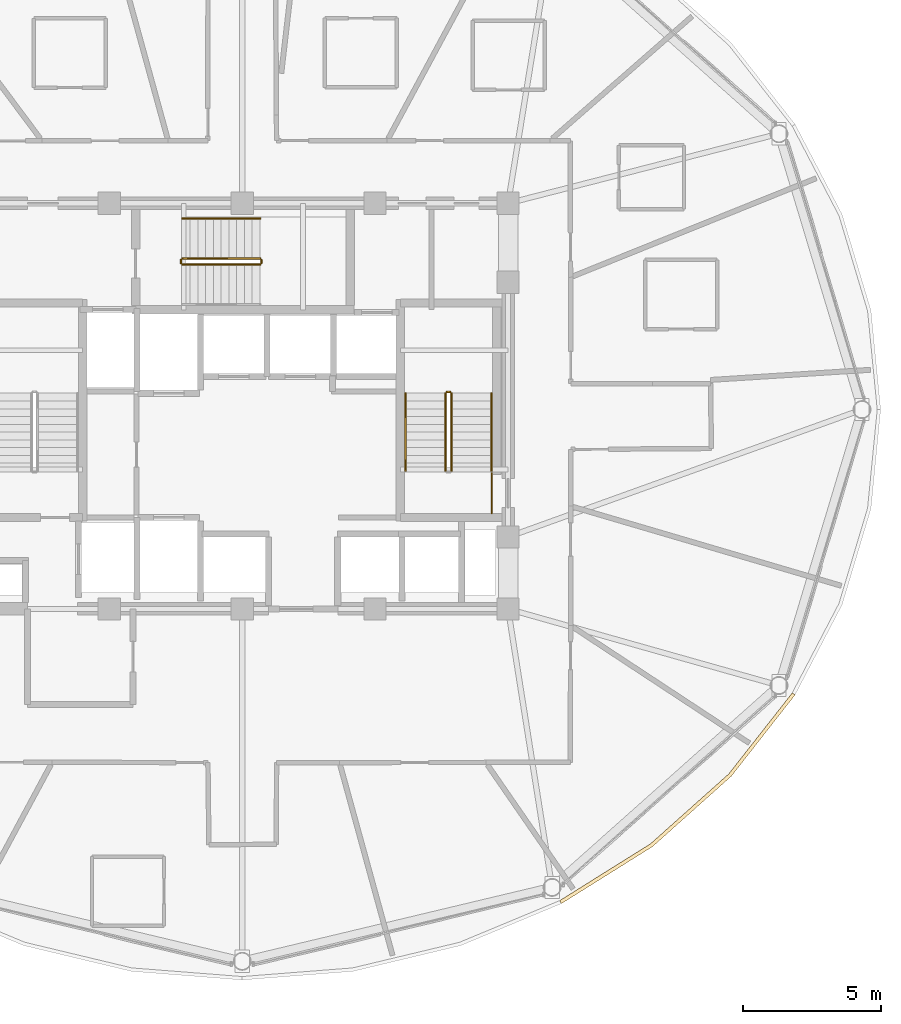
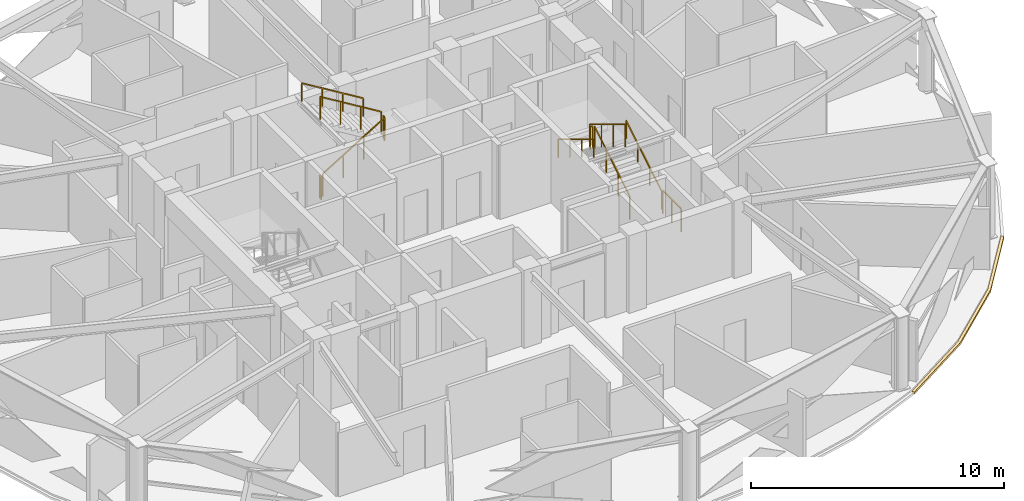
# One storey, part 29 of 30: 11 railings, 1 covering.
"""IFC4 building model written with IfcOpenShell, lengths in metres."""

import ifcopenshell
import ifcopenshell.guid

model = None  # the IFC model being written
_history = None  # IfcOwnerHistory: only IFC2X3 demands one
_inside = {}  # id of a spatial element -> (the spatial element, [elements in it])
_under = {}  # id of a project, library or spatial element -> (it, [spatial elements below it])
_declared = {}  # id of a project -> (the project, [libraries it declares])
_typed = {}  # id of a type object -> (the type object, [elements of that type])
_made_of = {}  # id of a material, layer set ... -> (it, [elements and type objects made of it])


def new_model(schema):
    """Start an empty IFC model of exactly this schema.

    Asked for "IFC4X3", IfcOpenShell would pick the latest addendum, in which some entities
    have other attributes; the version numbers below select the first issue.
    IFC2X3 requires an IfcOwnerHistory on every rooted entity: one is made here for all.
    """
    global model, _history
    if schema == "IFC4X3":
        model = ifcopenshell.file(schema_version=(4, 3, 0, 0))
    else:
        model = ifcopenshell.file(schema=schema)
    _inside.clear()
    _under.clear()
    _declared.clear()
    _typed.clear()
    _made_of.clear()
    _history = None
    if model.schema == "IFC2X3":
        org = make("IfcOrganization", Name="unknown")
        user = make(
            "IfcPersonAndOrganization",
            ThePerson=make("IfcPerson", FamilyName="unknown"),
            TheOrganization=org,
        )
        app = make(
            "IfcApplication",
            ApplicationDeveloper=org,
            Version="unknown",
            ApplicationFullName="unknown",
            ApplicationIdentifier="unknown",
        )
        _history = make(
            "IfcOwnerHistory",
            OwningUser=user,
            OwningApplication=app,
            ChangeAction="ADDED",
            CreationDate=0,
        )
    return model


def make(cls, **values):
    """One entity of the class cls with the attributes given. An attribute that is None is left unset."""
    return model.create_entity(
        cls, **{name: value for name, value in values.items() if value is not None}
    )


def rooted(cls, **values):
    """An entity with a GlobalId (a new one), such as an element, a storey or a relation."""
    return make(cls, GlobalId=ifcopenshell.guid.new(), OwnerHistory=_history, **values)


def si_unit(unit_type, name, prefix=None):
    """IfcSIUnit, for example si_unit("LENGTHUNIT", "METRE", prefix="MILLI")."""
    return make("IfcSIUnit", UnitType=unit_type, Prefix=prefix, Name=name)


def assignment(units):
    """IfcUnitAssignment: the units of a project."""
    return None if units is None else make("IfcUnitAssignment", Units=units)


def point(xyz):
    """IfcCartesianPoint."""
    return None if xyz is None else make("IfcCartesianPoint", Coordinates=xyz)


def direction(xyz):
    """IfcDirection."""
    return None if xyz is None else make("IfcDirection", DirectionRatios=xyz)


def frame(location, z_axis=None, x_axis=None):
    """IfcAxis2Placement3D, a coordinate frame: its origin and axes. An axis left out is left unset."""
    return make(
        "IfcAxis2Placement3D",
        Location=point(location),
        Axis=direction(z_axis),
        RefDirection=direction(x_axis),
    )


def frame_2d(location, x_axis=None):
    """IfcAxis2Placement2D, a coordinate frame in the plane: its origin and x axis."""
    return make(
        "IfcAxis2Placement2D", Location=point(location), RefDirection=direction(x_axis)
    )


def origin():
    """The frame at (0, 0, 0) with its axes left unset."""
    return frame((0.0, 0.0, 0.0))


def origin_2d():
    """The frame at (0, 0) in the plane with its x axis left unset."""
    return frame_2d((0.0, 0.0))


def place(relative_to, where):
    """IfcLocalPlacement: puts the frame where relative to a parent placement (None: the world)."""
    return make(
        "IfcLocalPlacement", PlacementRelTo=relative_to, RelativePlacement=where
    )


def context(
    kind, dimensions, precision=None, world=None, true_north=None, identifier=None
):
    """IfcGeometricRepresentationContext, for example the 3D "Model" context."""
    return make(
        "IfcGeometricRepresentationContext",
        ContextIdentifier=identifier,
        ContextType=kind,
        CoordinateSpaceDimension=dimensions,
        Precision=precision,
        WorldCoordinateSystem=world,
        TrueNorth=true_north,
    )


def subcontext(parent, identifier, kind, view, scale=None):
    """IfcGeometricRepresentationSubContext, for example "Body" below "Model"."""
    return make(
        "IfcGeometricRepresentationSubContext",
        ContextIdentifier=identifier,
        ContextType=kind,
        ParentContext=parent,
        TargetScale=scale,
        TargetView=view,
    )


def project(units=None, contexts=None):
    """IfcProject with its units and contexts."""
    return rooted(
        "IfcProject",
        Name="project",
        RepresentationContexts=contexts,
        UnitsInContext=assignment(units),
    )


def spatial(cls, under=None, at=None, **own):
    """A site, building, storey or space (cls), placed at a placement, below another one or the project."""
    s = rooted(cls, ObjectPlacement=at, **own)
    if under is not None:
        _under.setdefault(under.id(), (under, []))[1].append(s)
    return s


def polyline(points):
    """IfcPolyline through the points."""
    return make("IfcPolyline", Points=[point(p) for p in points])


def profile(cls, at=None, kind="AREA", **sizes):
    """A parametric profile (cls). Its sizes go by their IFC names, for example OverallWidth=200.0."""
    return make(cls, ProfileType=kind, Position=at, **sizes)


def rectangle(**sizes):
    """IfcRectangleProfileDef."""
    return profile("IfcRectangleProfileDef", **sizes)


def outline(outer, holes=None, kind="AREA"):
    """IfcArbitraryClosedProfileDef: a profile drawn as a closed curve; with holes, ...WithVoids."""
    if holes is None:
        return make("IfcArbitraryClosedProfileDef", ProfileType=kind, OuterCurve=outer)
    return make(
        "IfcArbitraryProfileDefWithVoids",
        ProfileType=kind,
        OuterCurve=outer,
        InnerCurves=holes,
    )


def extrude(swept, where, along, depth):
    """IfcExtrudedAreaSolid: the profile swept, set in the frame where, extruded along a direction by depth."""
    return make(
        "IfcExtrudedAreaSolid",
        SweptArea=swept,
        Position=where,
        ExtrudedDirection=direction(along),
        Depth=depth,
    )


def shape(context_of_items, identifier, shape_type, items):
    """IfcShapeRepresentation: the items that make up one representation, for example the "Body"."""
    return make(
        "IfcShapeRepresentation",
        ContextOfItems=context_of_items,
        RepresentationIdentifier=identifier,
        RepresentationType=shape_type,
        Items=items,
    )


def material(Name=None, Category=None):
    """IfcMaterial."""
    return make("IfcMaterial", Name=Name, Category=Category)


def layer(
    of_material, thickness, ventilated=None, Name=None, Category=None, Priority=None
):
    """IfcMaterialLayer: one layer of a wall or slab, of a material (None: an air gap)."""
    return make(
        "IfcMaterialLayer",
        Material=of_material,
        LayerThickness=thickness,
        IsVentilated=ventilated,
        Name=Name,
        Category=Category,
        Priority=Priority,
    )


def layer_set(layers, Name=None):
    """IfcMaterialLayerSet."""
    return make("IfcMaterialLayerSet", MaterialLayers=layers, LayerSetName=Name)


def made_of(thing, what):
    """Note that an element or type object is made of a material, layer set ...; save() writes the relation."""
    if what is not None:
        _made_of.setdefault(what.id(), (what, []))[1].append(thing)
    return thing


def type_object(cls, material=None, **own):
    """A type object (cls), such as IfcWallType, which elements share."""
    return made_of(rooted(cls, **own), material)


def element(
    cls,
    number,
    at=None,
    inside=None,
    cuts=None,
    type_object=None,
    material=None,
    context=None,
    identifier="Body",
    shape_type=None,
    held_by="IfcProductDefinitionShape",
    body=None,
    shapes=None,
    **own,
):
    """One element of the class cls, such as IfcWall. Its Tag is "e" and its number.

    at: its placement. inside: the storey or other place that contains it. cuts: it is an
    opening in that element (IfcRelVoidsElement). A single representation is given by context,
    identifier, shape_type and body (its items); several are given by shapes. held_by: the class
    of the entity that holds the representations. save() writes the other relations.
    """
    e = rooted(cls, Tag="e%d" % number, ObjectPlacement=at, **own)
    if body is not None:
        shapes = [shape(context, identifier, shape_type, body)]
    if shapes is not None:
        e.Representation = make(held_by, Representations=shapes)
    if inside is not None:
        _inside.setdefault(inside.id(), (inside, []))[1].append(e)
    if cuts is not None:
        rooted(
            "IfcRelVoidsElement", RelatingBuildingElement=cuts, RelatedOpeningElement=e
        )
    if type_object is not None:
        _typed.setdefault(type_object.id(), (type_object, []))[1].append(e)
    return made_of(e, material)


def aggregate(whole, parts):
    """IfcRelAggregates: a whole, such as a stair, and the parts it consists of."""
    return rooted("IfcRelAggregates", RelatingObject=whole, RelatedObjects=parts)


def save(model, path):
    """Write the relations noted so far, then the file.

    IfcRelAggregates (storeys below a building ...), IfcRelContainedInSpatialStructure (elements
    in a storey), IfcRelDefinesByType, IfcRelAssociatesMaterial and IfcRelDeclares: one each for
    every whole, place, type object, material and project.
    """
    for whole, parts in _under.values():
        aggregate(whole, parts)
    for where, things in _inside.values():
        rooted(
            "IfcRelContainedInSpatialStructure",
            RelatedElements=things,
            RelatingStructure=where,
        )
    for kind, things in _typed.values():
        rooted("IfcRelDefinesByType", RelatedObjects=things, RelatingType=kind)
    for what, things in _made_of.values():
        rooted("IfcRelAssociatesMaterial", RelatedObjects=things, RelatingMaterial=what)
    for by, libraries in _declared.values():
        rooted("IfcRelDeclares", RelatingContext=by, RelatedDefinitions=libraries)
    model.write(path)


model = new_model("IFC4")

# Units and contexts
model_context = context("Model", 3, precision=1e-05, world=origin(), true_north=direction((0.0, 1.0)))
body_context = subcontext(model_context, "Body", "Model", "MODEL_VIEW")
ifc_project = project(units=[si_unit("LENGTHUNIT", "METRE"), si_unit("AREAUNIT", "SQUARE_METRE"), si_unit("VOLUMEUNIT", "CUBIC_METRE"), si_unit("PLANEANGLEUNIT", "RADIAN"), si_unit("MASSUNIT", "GRAM", prefix="KILO")], contexts=[model_context])

# Site, building, storey
site_placement = place(None, origin())
site = spatial("IfcSite", under=ifc_project, at=site_placement, CompositionType="ELEMENT")
building_placement = place(site_placement, origin())
building = spatial("IfcBuilding", under=site, at=building_placement, Name="Vantalir Tower", CompositionType="ELEMENT")
storey_placement = place(building_placement, frame((0.0, 0.0, 201.14990234375)))
storey = spatial("IfcBuildingStorey", under=building, at=storey_placement, Name="L50", CompositionType="ELEMENT", Elevation=201.14990234375)

# Covering
ifc_material_1 = material(Name="Anodised champagne aluminium sill fascia", Category="aluminium")
ifc_layer = layer(ifc_material_1, 0.125)
ifc_layer_set = layer_set([ifc_layer], Name="Anodised champagne aluminium sill fascia")
covering_type = type_object("IfcCoveringType", Name="COV-SLAB-FASCIA-125", PredefinedType="CLADDING", material=ifc_layer_set)
covering_placement = place(storey_placement, frame((0.0, 0.0, -0.179931640625)))
element("IfcCovering", 1, at=covering_placement, inside=storey, type_object=covering_type, Name="L50 Perimeter Slab-Edge Sill Fascia 11", PredefinedType="CLADDING", context=body_context, shape_type="SweptSolid", body=[
    extrude(outline(polyline([(43.029052734375, 7.159912109375), (46.321044921875, 9.218994140625), (49.1630859375, 11.759033203125), (51.468017578125, 14.699951171875), (51.360107421875, 14.761962890625), (49.06689453125, 11.839111328125), (46.239990234375, 9.31494140625), (42.966064453125, 7.26806640625), (43.029052734375, 7.159912109375)])), origin(), (0.0, 0.0, 1.0), 0.10498046875),
])

# Railings
ifc_material_2 = material(Name="Anodised aluminium and stainless steel guard", Category="steel")
railing_type_1 = type_object("IfcRailingType", Name="RAL-GUARD-1120", PredefinedType="GUARDRAIL", material=ifc_material_2)
railing_1_placement = place(storey_placement, frame((39.06005859375, 22.7900390625, 0.170654296875)))
element("IfcRailing", 2, at=railing_1_placement, inside=storey, type_object=railing_type_1, Name="L50 ST2 stair guard 1", PredefinedType="GUARDRAIL", context=body_context, shape_type="SweptSolid", body=[
    extrude(rectangle(XDim=0.048095703125, YDim=0.048095703125, at=origin_2d()), frame((0.0, 0.0, 1.09619140625), z_axis=(0.0, 0.854202870247, 0.519939858505), x_axis=(-1.0, 0.0, 0.0)), (0.0, 0.0, 1.0), 3.278076171875),
    extrude(rectangle(XDim=0.0419921875, YDim=0.0419921875, at=origin_2d()), origin(), (0.0, 0.0, 1.0), 1.072021484375),
    extrude(rectangle(XDim=0.0419921875, YDim=0.0419921875, at=origin_2d()), frame((0.0, 0.933349609375, 0.568115234375)), (0.0, 0.0, 1.0), 1.072021484375),
    extrude(rectangle(XDim=0.0419921875, YDim=0.0419921875, at=origin_2d()), frame((0.0, 1.86669921875, 1.13623046875)), (0.0, 0.0, 1.0), 1.072021484375),
    extrude(rectangle(XDim=0.0419921875, YDim=0.0419921875, at=origin_2d()), frame((0.0, 2.800048828125, 1.704345703125)), (0.0, 0.0, 1.0), 1.072021484375),
])
railing_2_placement = place(storey_placement, frame((39.010009765625, 25.639892578125, 1.875)))
element("IfcRailing", 3, at=railing_2_placement, inside=storey, type_object=railing_type_1, Name="L50 ST2 stair guard 2", PredefinedType="GUARDRAIL", context=body_context, shape_type="SweptSolid", body=[
    extrude(rectangle(XDim=0.048095703125, YDim=0.048095703125, at=origin_2d()), frame((0.0, 0.0, 1.09619140625), z_axis=(-1.0, 0.0, 0.0), x_axis=(0.0, -1.0, 0.0)), (0.0, 0.0, 1.0), 0.1201171875),
    extrude(rectangle(XDim=0.0419921875, YDim=0.0419921875, at=origin_2d()), origin(), (0.0, 0.0, 1.0), 1.072021484375),
    extrude(rectangle(XDim=0.0419921875, YDim=0.0419921875, at=origin_2d()), frame((-0.1201171875, 0.0, 0.0)), (0.0, 0.0, 1.0), 1.072021484375),
])
railing_3_placement = place(storey_placement, frame((38.840087890625, 25.590087890625, 2.045654296875)))
element("IfcRailing", 4, at=railing_3_placement, inside=storey, type_object=railing_type_1, Name="L50 ST2 stair guard 3", PredefinedType="GUARDRAIL", context=body_context, shape_type="SweptSolid", body=[
    extrude(rectangle(XDim=0.048095703125, YDim=0.048095703125, at=origin_2d()), frame((0.0, 0.0, 1.09619140625), z_axis=(0.0, -0.854202870247, 0.519939858505), x_axis=(1.0, 0.0, 0.0)), (0.0, 0.0, 1.0), 3.278076171875),
    extrude(rectangle(XDim=0.0419921875, YDim=0.0419921875, at=origin_2d()), origin(), (0.0, 0.0, 1.0), 1.072021484375),
    extrude(rectangle(XDim=0.0419921875, YDim=0.0419921875, at=origin_2d()), frame((0.0, -0.933349609375, 0.568115234375)), (0.0, 0.0, 1.0), 1.072021484375),
    extrude(rectangle(XDim=0.0419921875, YDim=0.0419921875, at=origin_2d()), frame((0.0, -1.86669921875, 1.13623046875)), (0.0, 0.0, 1.0), 1.072021484375),
    extrude(rectangle(XDim=0.0419921875, YDim=0.0419921875, at=origin_2d()), frame((0.0, -2.800048828125, 1.704345703125)), (0.0, 0.0, 1.0), 1.072021484375),
])
railing_4_placement = place(storey_placement, frame((29.340087890625, 30.239990234375, 0.170654296875)))
element("IfcRailing", 5, at=railing_4_placement, inside=storey, type_object=railing_type_1, Name="L50 ST3 stair guard 1", PredefinedType="GUARDRAIL", context=body_context, shape_type="SweptSolid", body=[
    extrude(rectangle(XDim=0.048095703125, YDim=0.048095703125, at=origin_2d()), frame((0.0, 0.0, 1.09619140625), z_axis=(0.854182733786, 0.0, 0.519972939009), x_axis=(0.0, 1.0, 0.0)), (0.0, 0.0, 1.0), 3.27783203125),
    extrude(rectangle(XDim=0.0419921875, YDim=0.0419921875, at=origin_2d()), origin(), (0.0, 0.0, 1.0), 1.072021484375),
    extrude(rectangle(XDim=0.0419921875, YDim=0.0419921875, at=origin_2d()), frame((0.933349609375, 0.0, 0.568115234375)), (0.0, 0.0, 1.0), 1.072021484375),
    extrude(rectangle(XDim=0.0419921875, YDim=0.0419921875, at=origin_2d()), frame((1.866455078125, 0.0, 1.13623046875)), (0.0, 0.0, 1.0), 1.072021484375),
    extrude(rectangle(XDim=0.0419921875, YDim=0.0419921875, at=origin_2d()), frame((2.7998046875, 0.0, 1.704345703125)), (0.0, 0.0, 1.0), 1.072021484375),
])
railing_5_placement = place(storey_placement, frame((32.18994140625, 30.2900390625, 1.875)))
element("IfcRailing", 6, at=railing_5_placement, inside=storey, type_object=railing_type_1, Name="L50 ST3 stair guard 2", PredefinedType="GUARDRAIL", context=body_context, shape_type="SweptSolid", body=[
    extrude(rectangle(XDim=0.048095703125, YDim=0.048095703125, at=origin_2d()), frame((0.0, 0.0, 1.09619140625), z_axis=(0.0, 1.0, 0.0), x_axis=(-1.0, 0.0, 0.0)), (0.0, 0.0, 1.0), 0.119873046875),
    extrude(rectangle(XDim=0.0419921875, YDim=0.0419921875, at=origin_2d()), origin(), (0.0, 0.0, 1.0), 1.072021484375),
    extrude(rectangle(XDim=0.0419921875, YDim=0.0419921875, at=origin_2d()), frame((0.0, 0.119873046875, 0.0)), (0.0, 0.0, 1.0), 1.072021484375),
])
railing_6_placement = place(storey_placement, frame((32.139892578125, 30.4599609375, 2.045654296875)))
element("IfcRailing", 7, at=railing_6_placement, inside=storey, type_object=railing_type_1, Name="L50 ST3 stair guard 3", PredefinedType="GUARDRAIL", context=body_context, shape_type="SweptSolid", body=[
    extrude(rectangle(XDim=0.048095703125, YDim=0.048095703125, at=origin_2d()), frame((0.0, 0.0, 1.09619140625), z_axis=(-0.854182733786, 0.0, 0.519972939009), x_axis=(0.0, -1.0, 0.0)), (0.0, 0.0, 1.0), 3.27783203125),
    extrude(rectangle(XDim=0.0419921875, YDim=0.0419921875, at=origin_2d()), origin(), (0.0, 0.0, 1.0), 1.072021484375),
    extrude(rectangle(XDim=0.0419921875, YDim=0.0419921875, at=origin_2d()), frame((-0.933349609375, 0.0, 0.568115234375)), (0.0, 0.0, 1.0), 1.072021484375),
    extrude(rectangle(XDim=0.0419921875, YDim=0.0419921875, at=origin_2d()), frame((-1.866455078125, 0.0, 1.13623046875)), (0.0, 0.0, 1.0), 1.072021484375),
    extrude(rectangle(XDim=0.0419921875, YDim=0.0419921875, at=origin_2d()), frame((-2.7998046875, 0.0, 1.704345703125)), (0.0, 0.0, 1.0), 1.072021484375),
])
railing_7_placement = place(storey_placement, frame((29.2900390625, 30.2900390625, 0.0)))
element("IfcRailing", 8, at=railing_7_placement, inside=storey, type_object=railing_type_1, Name="L50 ST3 stair guard 4", PredefinedType="GUARDRAIL", context=body_context, shape_type="SweptSolid", body=[
    extrude(rectangle(XDim=0.048095703125, YDim=0.048095703125, at=origin_2d()), frame((0.0, 0.0, 1.09619140625), z_axis=(0.0, 1.0, 0.0), x_axis=(-1.0, 0.0, 0.0)), (0.0, 0.0, 1.0), 0.119873046875),
    extrude(rectangle(XDim=0.0419921875, YDim=0.0419921875, at=origin_2d()), origin(), (0.0, 0.0, 1.0), 1.072021484375),
    extrude(rectangle(XDim=0.0419921875, YDim=0.0419921875, at=origin_2d()), frame((0.0, 0.119873046875, 0.0)), (0.0, 0.0, 1.0), 1.072021484375),
])
railing_8_placement = place(storey_placement, frame((40.510009765625, 21.260009765625, 0.0)))
element("IfcRailing", 9, at=railing_8_placement, inside=storey, type_object=railing_type_1, Name="L50 Stair ST2 Doorway Landing Guard", PredefinedType="GUARDRAIL", context=body_context, shape_type="SweptSolid", body=[
    extrude(rectangle(XDim=0.048095703125, YDim=0.048095703125, at=origin_2d()), frame((0.0, 0.0, 1.1259765625), z_axis=(0.0, 1.0, 0.0), x_axis=(-1.0, 0.0, 0.0)), (0.0, 0.0, 1.0), 1.43994140625),
    extrude(rectangle(XDim=0.0419921875, YDim=0.0419921875, at=origin_2d()), origin(), (0.0, 0.0, 1.0), 1.101806640625),
    extrude(rectangle(XDim=0.0419921875, YDim=0.0419921875, at=origin_2d()), frame((0.0, 0.719970703125, 0.0)), (0.0, 0.0, 1.0), 1.101806640625),
    extrude(rectangle(XDim=0.0419921875, YDim=0.0419921875, at=origin_2d()), frame((0.0, 1.43994140625, 0.0)), (0.0, 0.0, 1.0), 1.101806640625),
])
ifc_material_3 = material(Name="Brushed stainless steel tubular handrail", Category="steel")
railing_type_2 = type_object("IfcRailingType", Name="RAL-HANDRAIL-900", PredefinedType="HANDRAIL", material=ifc_material_3)
railing_9_placement = place(storey_placement, frame((40.5, 22.7900390625, 0.170654296875)))
element("IfcRailing", 10, at=railing_9_placement, inside=storey, type_object=railing_type_2, Name="L50 ST2 stair handrail 1", PredefinedType="HANDRAIL", context=body_context, shape_type="SweptSolid", body=[
    extrude(rectangle(XDim=0.048095703125, YDim=0.048095703125, at=origin_2d()), frame((0.0, 0.0, 0.8759765625), z_axis=(0.0, 0.854202870247, 0.519939858505), x_axis=(-1.0, 0.0, 0.0)), (0.0, 0.0, 1.0), 3.278076171875),
    extrude(rectangle(XDim=0.0419921875, YDim=0.0419921875, at=origin_2d()), origin(), (0.0, 0.0, 1.0), 0.851806640625),
    extrude(rectangle(XDim=0.0419921875, YDim=0.0419921875, at=origin_2d()), frame((0.0, 0.933349609375, 0.568115234375)), (0.0, 0.0, 1.0), 0.851806640625),
    extrude(rectangle(XDim=0.0419921875, YDim=0.0419921875, at=origin_2d()), frame((0.0, 1.86669921875, 1.13623046875)), (0.0, 0.0, 1.0), 0.851806640625),
    extrude(rectangle(XDim=0.0419921875, YDim=0.0419921875, at=origin_2d()), frame((0.0, 2.800048828125, 1.704345703125)), (0.0, 0.0, 1.0), 0.851806640625),
])
railing_10_placement = place(storey_placement, frame((37.39990234375, 25.590087890625, 2.045654296875)))
element("IfcRailing", 11, at=railing_10_placement, inside=storey, type_object=railing_type_2, Name="L50 ST2 stair handrail 2", PredefinedType="HANDRAIL", context=body_context, shape_type="SweptSolid", body=[
    extrude(rectangle(XDim=0.048095703125, YDim=0.048095703125, at=origin_2d()), frame((0.0, 0.0, 0.8759765625), z_axis=(0.0, -0.854202870247, 0.519939858505), x_axis=(1.0, 0.0, 0.0)), (0.0, 0.0, 1.0), 3.278076171875),
    extrude(rectangle(XDim=0.0419921875, YDim=0.0419921875, at=origin_2d()), origin(), (0.0, 0.0, 1.0), 0.851806640625),
    extrude(rectangle(XDim=0.0419921875, YDim=0.0419921875, at=origin_2d()), frame((0.0, -0.933349609375, 0.568115234375)), (0.0, 0.0, 1.0), 0.851806640625),
    extrude(rectangle(XDim=0.0419921875, YDim=0.0419921875, at=origin_2d()), frame((0.0, -1.86669921875, 1.13623046875)), (0.0, 0.0, 1.0), 0.851806640625),
    extrude(rectangle(XDim=0.0419921875, YDim=0.0419921875, at=origin_2d()), frame((0.0, -2.800048828125, 1.704345703125)), (0.0, 0.0, 1.0), 0.851806640625),
])
railing_11_placement = place(storey_placement, frame((32.139892578125, 31.89990234375, 2.045654296875)))
element("IfcRailing", 12, at=railing_11_placement, inside=storey, type_object=railing_type_2, Name="L50 ST3 stair handrail 2", PredefinedType="HANDRAIL", context=body_context, shape_type="SweptSolid", body=[
    extrude(rectangle(XDim=0.048095703125, YDim=0.048095703125, at=origin_2d()), frame((0.0, 0.0, 0.8759765625), z_axis=(-0.854182733786, 0.0, 0.519972939009), x_axis=(0.0, -1.0, 0.0)), (0.0, 0.0, 1.0), 3.27783203125),
    extrude(rectangle(XDim=0.0419921875, YDim=0.0419921875, at=origin_2d()), origin(), (0.0, 0.0, 1.0), 0.851806640625),
    extrude(rectangle(XDim=0.0419921875, YDim=0.0419921875, at=origin_2d()), frame((-0.933349609375, 0.0, 0.568115234375)), (0.0, 0.0, 1.0), 0.851806640625),
    extrude(rectangle(XDim=0.0419921875, YDim=0.0419921875, at=origin_2d()), frame((-1.866455078125, 0.0, 1.13623046875)), (0.0, 0.0, 1.0), 0.851806640625),
    extrude(rectangle(XDim=0.0419921875, YDim=0.0419921875, at=origin_2d()), frame((-2.7998046875, 0.0, 1.704345703125)), (0.0, 0.0, 1.0), 0.851806640625),
])

save(model, "model.ifc")
